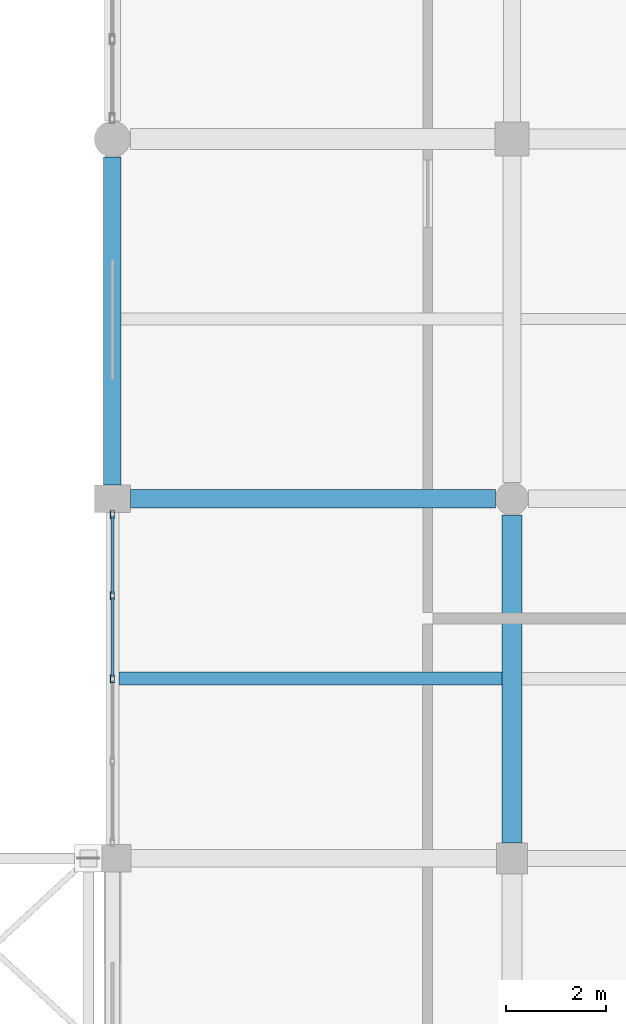
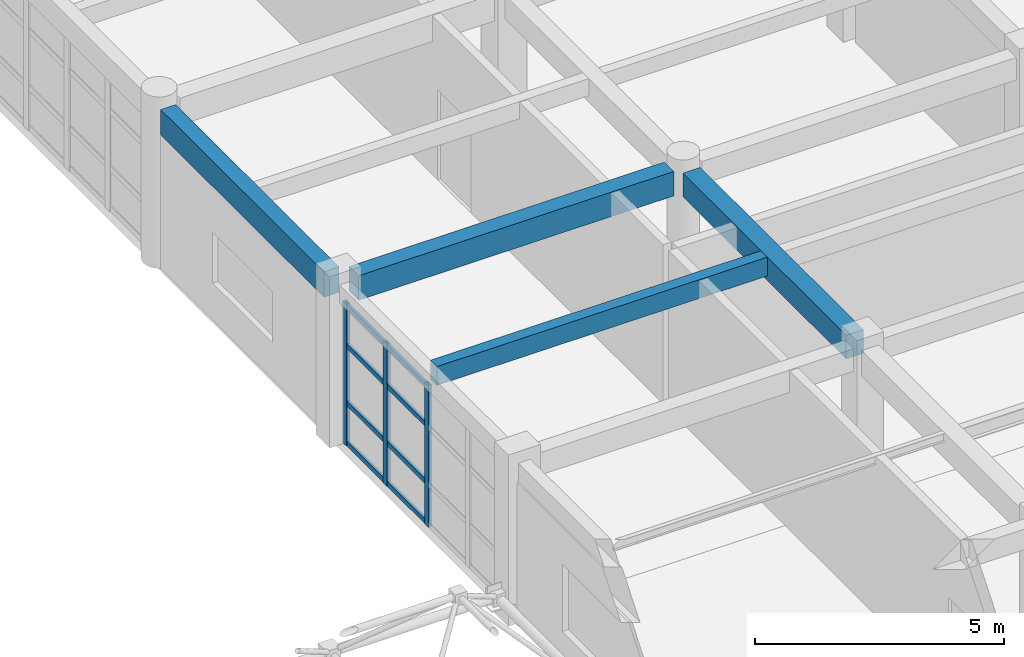
# One storey, part 108 of 195: 11 members, 4 beams, 1 element without a shape of its own.
"""IFC4 building model written with IfcOpenShell, lengths in metres."""

from ifc_helpers import new_model, si_unit, direction, frame, origin, origin_2d, place, context, subcontext, project, spatial, rectangle, hollow_rectangle, extrude, material, material_profile, profile_set, type_object, element, aggregate, save


model = new_model("IFC4")

# Units and contexts
model_context = context("Model", 3, precision=1e-05, world=origin(), true_north=direction((0.0, 1.0)))
body_context = subcontext(model_context, "Body", "Model", "MODEL_VIEW")
ifc_project = project(units=[si_unit("LENGTHUNIT", "METRE"), si_unit("AREAUNIT", "SQUARE_METRE"), si_unit("VOLUMEUNIT", "CUBIC_METRE"), si_unit("PLANEANGLEUNIT", "RADIAN"), si_unit("MASSUNIT", "GRAM", prefix="KILO")], contexts=[model_context])

# Site, building, storey
site_placement = place(None, origin())
site = spatial("IfcSite", under=ifc_project, at=site_placement, CompositionType="ELEMENT")
building_placement = place(site_placement, origin())
building = spatial("IfcBuilding", under=site, at=building_placement, Name="Kharva Crest Polytechnic", CompositionType="ELEMENT")
storey_placement = place(building_placement, frame((0.0, 0.0, 9.0)))
storey = spatial("IfcBuildingStorey", under=building, at=storey_placement, Name="L02", CompositionType="ELEMENT", Elevation=9.0)

# Beams
ifc_material_1 = material(Name="Concrete C35/45", Category="concrete")
ifc_material_profile_1 = material_profile(ifc_material_1, rectangle(XDim=0.3798828125, YDim=0.60009765625, at=origin_2d()), Name="RECT 380 X 600")
ifc_profile_set_1 = profile_set([ifc_material_profile_1], Name="Concrete C35/45")
beam_type_1 = type_object("IfcBeamType", Name="BM-RC-380X600", PredefinedType="BEAM", material=ifc_profile_set_1)
beam_1_placement = place(storey_placement, frame((32.360107421875, 100.39990234375, 3.6201171875), z_axis=(1.0, 0.0, 0.0), x_axis=(0.0, 1.0, 0.0)))
element("IfcBeam", 1, at=beam_1_placement, inside=storey, type_object=beam_type_1, Name="L02 Beam P/5-6", PredefinedType="BEAM", context=body_context, shape_type="SweptSolid", body=[
    extrude(rectangle(XDim=0.3798828125, YDim=0.60009765625, at=origin_2d()), origin(), (0.0, 0.0, 1.0), 7.309814453125),
])
ifc_material_profile_2 = material_profile(ifc_material_1, rectangle(XDim=0.39990234375, YDim=0.580078125, at=origin_2d()), Name="RECT 400 X 580")
ifc_profile_set_2 = profile_set([ifc_material_profile_2], Name="Concrete C35/45")
beam_type_2 = type_object("IfcBeamType", Name="BM-RC-400X580", PredefinedType="BEAM", material=ifc_profile_set_2)
beam_2_placement = place(storey_placement, frame((40.0, 93.510009765625, 3.6298828125), z_axis=(0.0, 1.0, 0.0), x_axis=(-1.0, 0.0, 0.0)))
element("IfcBeam", 2, at=beam_2_placement, inside=storey, type_object=beam_type_2, Name="L02 Girder 6/N-P", PredefinedType="BEAM", context=body_context, shape_type="SweptSolid", body=[
    extrude(rectangle(XDim=0.39990234375, YDim=0.580078125, at=origin_2d()), origin(), (0.0, 0.0, 1.0), 6.56005859375),
])

# Curtain wall, members
ifc_material_2 = material(Name="Tempered insulated glass", Category="glass")
curtain_wall_type = type_object("IfcCurtainWallType", Name="CW-SYS-COURT", PredefinedType="USERDEFINED", material=ifc_material_2)
curtain_wall_placement = place(storey_placement, origin())
curtain_wall = element("IfcCurtainWall", 3, at=curtain_wall_placement, inside=storey, type_object=curtain_wall_type, Name="L02 Glazed Curtain Wall CW-124", ObjectType="CURTAIN WALL", PredefinedType="USERDEFINED")
ifc_material_3 = material(Name="Steel S355", Category="steel")
ifc_material_profile_3 = material_profile(ifc_material_3, hollow_rectangle(XDim=0.080078125, YDim=0.159912109375, WallThickness=0.0048828125, at=origin_2d()), Name="RHS 160X80X5.0")
ifc_profile_set_3 = profile_set([ifc_material_profile_3], Name="Steel S355")
member_type_1 = type_object("IfcMemberType", Name="CWM-RHS160X80", PredefinedType="MULLION", material=ifc_profile_set_3)
member_1_placement = place(storey_placement, frame((32.0, 100.080078125, 0.0), z_axis=(0.0, 0.0, 1.0), x_axis=(1.0, 0.0, 0.0)))
member_1 = element("IfcMember", 4, at=member_1_placement, type_object=member_type_1, Name="CW-124 mullion 1", PredefinedType="MULLION", context=body_context, shape_type="SweptSolid", body=[
    extrude(hollow_rectangle(XDim=0.080078125, YDim=0.159912109375, WallThickness=0.0048828125, at=origin_2d()), origin(), (0.0, 0.0, 1.0), 3.47998046875),
])
member_2_placement = place(storey_placement, frame((32.0, 98.4599609375, 0.0), z_axis=(0.0, 0.0, 1.0), x_axis=(1.0, 0.0, 0.0)))
member_2 = element("IfcMember", 5, at=member_2_placement, type_object=member_type_1, Name="CW-124 mullion 2", PredefinedType="MULLION", context=body_context, shape_type="SweptSolid", body=[
    extrude(hollow_rectangle(XDim=0.080078125, YDim=0.159912109375, WallThickness=0.0048828125, at=origin_2d()), origin(), (0.0, 0.0, 1.0), 3.47998046875),
])
member_3_placement = place(storey_placement, frame((32.0, 96.800048828125, 0.0), z_axis=(0.0, 0.0, 1.0), x_axis=(1.0, 0.0, 0.0)))
member_3 = element("IfcMember", 6, at=member_3_placement, type_object=member_type_1, Name="CW-124 mullion 3", PredefinedType="MULLION", context=body_context, shape_type="SweptSolid", body=[
    extrude(hollow_rectangle(XDim=0.080078125, YDim=0.159912109375, WallThickness=0.0048828125, at=origin_2d()), origin(), (0.0, 0.0, 1.0), 3.47998046875),
])
ifc_material_profile_4 = material_profile(ifc_material_3, hollow_rectangle(XDim=0.06005859375, YDim=0.1201171875, WallThickness=0.00390625, at=origin_2d()), Name="RHS 120X60X4.0")
ifc_profile_set_4 = profile_set([ifc_material_profile_4], Name="Steel S355")
member_type_2 = type_object("IfcMemberType", Name="CWT-RHS120X60", PredefinedType="USERDEFINED", material=ifc_profile_set_4)
member_4_placement = place(storey_placement, frame((32.0, 100.0400390625, 0.06005859375), z_axis=(0.0, -1.0, 0.0), x_axis=(1.0, 0.0, 0.0)))
member_4 = element("IfcMember", 7, at=member_4_placement, type_object=member_type_2, Name="CW-124 transom 1.1", ObjectType="TRANSOM", PredefinedType="USERDEFINED", context=body_context, shape_type="SweptSolid", body=[
    extrude(hollow_rectangle(XDim=0.06005859375, YDim=0.1201171875, WallThickness=0.00390625, at=origin_2d()), origin(), (0.0, 0.0, 1.0), 1.5400390625),
])
member_5_placement = place(storey_placement, frame((32.0, 100.0400390625, 1.050048828125), z_axis=(0.0, -1.0, 0.0), x_axis=(1.0, 0.0, 0.0)))
member_5 = element("IfcMember", 8, at=member_5_placement, type_object=member_type_2, Name="CW-124 transom 1.2", ObjectType="TRANSOM", PredefinedType="USERDEFINED", context=body_context, shape_type="SweptSolid", body=[
    extrude(hollow_rectangle(XDim=0.06005859375, YDim=0.1201171875, WallThickness=0.00390625, at=origin_2d()), origin(), (0.0, 0.0, 1.0), 1.5400390625),
])
member_6_placement = place(storey_placement, frame((32.0, 100.0400390625, 2.449951171875), z_axis=(0.0, -1.0, 0.0), x_axis=(1.0, 0.0, 0.0)))
member_6 = element("IfcMember", 9, at=member_6_placement, type_object=member_type_2, Name="CW-124 transom 1.3", ObjectType="TRANSOM", PredefinedType="USERDEFINED", context=body_context, shape_type="SweptSolid", body=[
    extrude(hollow_rectangle(XDim=0.06005859375, YDim=0.1201171875, WallThickness=0.00390625, at=origin_2d()), origin(), (0.0, 0.0, 1.0), 1.5400390625),
])
member_7_placement = place(storey_placement, frame((32.0, 100.0400390625, 3.419921875), z_axis=(0.0, -1.0, 0.0), x_axis=(1.0, 0.0, 0.0)))
member_7 = element("IfcMember", 10, at=member_7_placement, type_object=member_type_2, Name="CW-124 transom 1.4", ObjectType="TRANSOM", PredefinedType="USERDEFINED", context=body_context, shape_type="SweptSolid", body=[
    extrude(hollow_rectangle(XDim=0.06005859375, YDim=0.1201171875, WallThickness=0.00390625, at=origin_2d()), origin(), (0.0, 0.0, 1.0), 1.5400390625),
])
member_8_placement = place(storey_placement, frame((32.0, 98.419921875, 0.06005859375), z_axis=(0.0, -1.0, 0.0), x_axis=(1.0, 0.0, 0.0)))
member_8 = element("IfcMember", 11, at=member_8_placement, type_object=member_type_2, Name="CW-124 transom 2.1", ObjectType="TRANSOM", PredefinedType="USERDEFINED", context=body_context, shape_type="SweptSolid", body=[
    extrude(hollow_rectangle(XDim=0.06005859375, YDim=0.1201171875, WallThickness=0.00390625, at=origin_2d()), origin(), (0.0, 0.0, 1.0), 1.579833984375),
])
member_9_placement = place(storey_placement, frame((32.0, 98.419921875, 1.050048828125), z_axis=(0.0, -1.0, 0.0), x_axis=(1.0, 0.0, 0.0)))
member_9 = element("IfcMember", 12, at=member_9_placement, type_object=member_type_2, Name="CW-124 transom 2.2", ObjectType="TRANSOM", PredefinedType="USERDEFINED", context=body_context, shape_type="SweptSolid", body=[
    extrude(hollow_rectangle(XDim=0.06005859375, YDim=0.1201171875, WallThickness=0.00390625, at=origin_2d()), origin(), (0.0, 0.0, 1.0), 1.579833984375),
])
member_10_placement = place(storey_placement, frame((32.0, 98.419921875, 2.449951171875), z_axis=(0.0, -1.0, 0.0), x_axis=(1.0, 0.0, 0.0)))
member_10 = element("IfcMember", 13, at=member_10_placement, type_object=member_type_2, Name="CW-124 transom 2.3", ObjectType="TRANSOM", PredefinedType="USERDEFINED", context=body_context, shape_type="SweptSolid", body=[
    extrude(hollow_rectangle(XDim=0.06005859375, YDim=0.1201171875, WallThickness=0.00390625, at=origin_2d()), origin(), (0.0, 0.0, 1.0), 1.579833984375),
])
member_11_placement = place(storey_placement, frame((32.0, 98.419921875, 3.419921875), z_axis=(0.0, -1.0, 0.0), x_axis=(1.0, 0.0, 0.0)))
member_11 = element("IfcMember", 14, at=member_11_placement, type_object=member_type_2, Name="CW-124 transom 2.4", ObjectType="TRANSOM", PredefinedType="USERDEFINED", context=body_context, shape_type="SweptSolid", body=[
    extrude(hollow_rectangle(XDim=0.06005859375, YDim=0.1201171875, WallThickness=0.00390625, at=origin_2d()), origin(), (0.0, 0.0, 1.0), 1.579833984375),
])
aggregate(curtain_wall, [member_1, member_2, member_3, member_4, member_5, member_6, member_7, member_8, member_9, member_10, member_11])

# Beams
ifc_material_profile_5 = material_profile(ifc_material_1, rectangle(XDim=0.260009765625, YDim=0.4599609375, at=origin_2d()), Name="RECT 260 X 460")
ifc_profile_set_5 = profile_set([ifc_material_profile_5], Name="Concrete C35/45")
beam_type_3 = type_object("IfcBeamType", Name="JS-RC-260X460", PredefinedType="JOIST", material=ifc_profile_set_5)
beam_3_placement = place(storey_placement, frame((32.1298828125, 96.800048828125, 3.68994140625), z_axis=(1.0, 0.0, 0.0), x_axis=(0.0, 1.0, 0.0)))
element("IfcBeam", 15, at=beam_3_placement, inside=storey, type_object=beam_type_3, Name="L02 Floor Joist 13", PredefinedType="JOIST", context=body_context, shape_type="SweptSolid", body=[
    extrude(rectangle(XDim=0.260009765625, YDim=0.4599609375, at=origin_2d()), origin(), (0.0, 0.0, 1.0), 7.670166015625),
])
ifc_material_profile_6 = material_profile(ifc_material_1, rectangle(XDim=0.35009765625, YDim=0.6201171875, at=origin_2d()), Name="RECT 350 X 620")
ifc_profile_set_6 = profile_set([ifc_material_profile_6], Name="Concrete C35/45")
beam_type_4 = type_object("IfcBeamType", Name="SP-RC-350X620", PredefinedType="SPANDREL", material=ifc_profile_set_6)
beam_4_placement = place(storey_placement, frame((32.0, 100.675048828125, 3.610107421875), z_axis=(0.0, 1.0, 0.0), x_axis=(-1.0, 0.0, 0.0)))
element("IfcBeam", 16, at=beam_4_placement, inside=storey, type_object=beam_type_4, Name="L02 Girder 5/P-Q", PredefinedType="SPANDREL", context=body_context, shape_type="SweptSolid", body=[
    extrude(rectangle(XDim=0.35009765625, YDim=0.6201171875, at=origin_2d()), origin(), (0.0, 0.0, 1.0), 6.56494140625),
])

save(model, "model.ifc")
